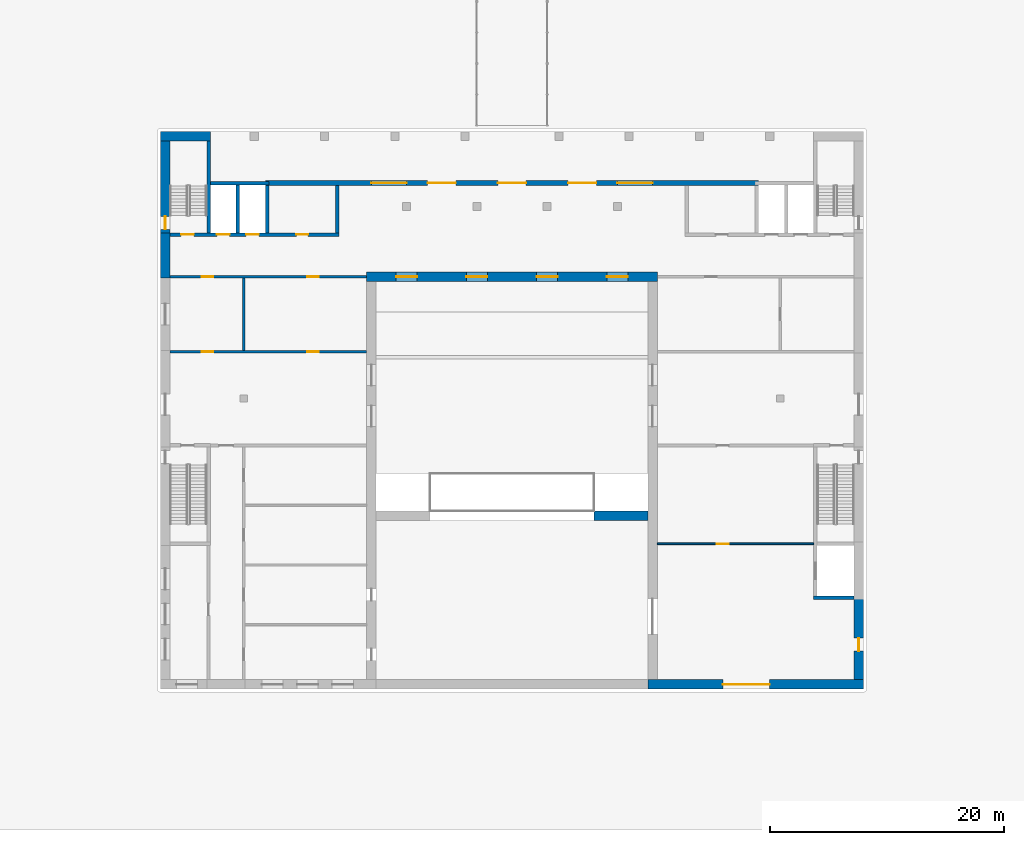
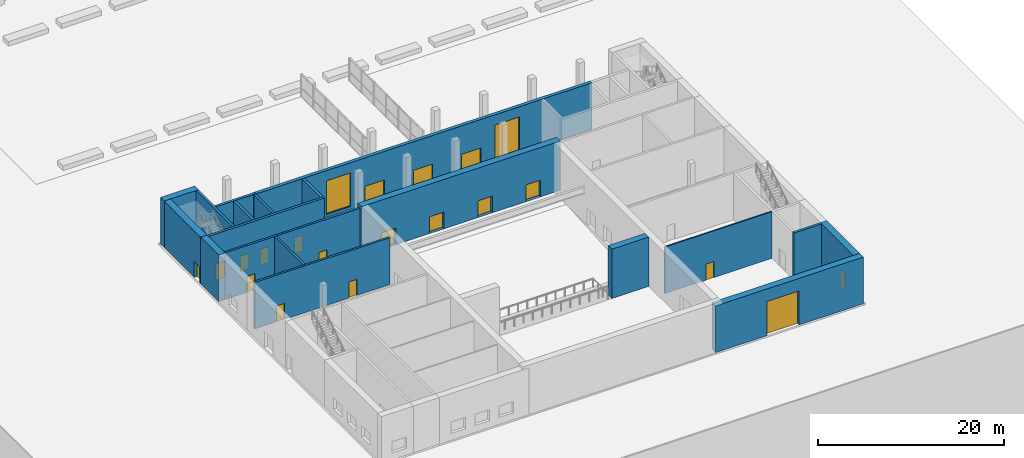
# One storey, part 30 of 51: 19 doors, 19 walls, 2 windows, 21 openings.
"""IFC4 building model written with IfcOpenShell, lengths in metres."""

from ifc_helpers import new_model, si_unit, direction, frame, frame_2d, origin, place, context, subcontext, project, spatial, rectangle, extrude, material, layer, layer_set, type_object, element, fill, save


model = new_model("IFC4")

# Units and contexts
model_context = context("Model", 3, precision=1e-05, world=origin(), true_north=direction((0.0, 1.0)))
body_context = subcontext(model_context, "Body", "Model", "MODEL_VIEW")
ifc_project = project(units=[si_unit("LENGTHUNIT", "METRE"), si_unit("AREAUNIT", "SQUARE_METRE"), si_unit("VOLUMEUNIT", "CUBIC_METRE"), si_unit("PLANEANGLEUNIT", "RADIAN"), si_unit("MASSUNIT", "GRAM", prefix="KILO")], contexts=[model_context])

# Site, building, storey
site_placement = place(None, origin())
site = spatial("IfcSite", under=ifc_project, at=site_placement, CompositionType="ELEMENT")
building_placement = place(site_placement, origin())
building = spatial("IfcBuilding", under=site, at=building_placement, Name="Kiln Ring Residences", CompositionType="ELEMENT")
storey_placement = place(building_placement, origin())
storey = spatial("IfcBuildingStorey", under=building, at=storey_placement, Name="L00", CompositionType="ELEMENT", Elevation=0.0)

# Wall
ifc_material_1 = material(Name="Concrete C40/50", Category="concrete")
ifc_layer_1 = layer(ifc_material_1, 0.800048828125)
ifc_layer_set_1 = layer_set([ifc_layer_1], Name="Hall Board-marked concrete C40/50 hall wall 800 internal")
wall_type_1 = type_object("IfcWallType", Name="Hall Board-marked concrete C40/50 hall wall 800 internal", PredefinedType="SOLIDWALL", material=ifc_layer_set_1)
wall_1_placement = place(storey_placement, frame((7.0, -145.199951171875, 0.0), z_axis=(0.0, 0.0, 1.0), x_axis=(1.0, 0.0, 0.0)))
element("IfcWall", 1, at=wall_1_placement, inside=storey, type_object=wall_type_1, Name="Hall proscenium pier L00 E", PredefinedType="SOLIDWALL", context=body_context, shape_type="SweptSolid", body=[
    extrude(rectangle(XDim=4.60009765625, YDim=0.800048828125, at=frame_2d((2.300048828125, 0.0))), origin(), (0.0, 0.0, 1.0), 6.5),
])

# Wall, openings, doors
wall_2_placement = place(storey_placement, frame((-12.39990234375, -124.800048828125, 0.0), z_axis=(0.0, 0.0, 1.0), x_axis=(1.0, 0.0, 0.0)))
wall_2 = element("IfcWall", 2, at=wall_2_placement, inside=storey, type_object=wall_type_1, Name="Hall wall L00 21", PredefinedType="SOLIDWALL", context=body_context, shape_type="SweptSolid", body=[
    extrude(rectangle(XDim=24.7998046875, YDim=0.800048828125, at=frame_2d((12.39990234375, 0.0))), origin(), (0.0, 0.0, 1.0), 6.5),
])
opening_1_placement = place(wall_2_placement, frame((2.5, 0.0, 0.0)))
opening_1 = element("IfcOpeningElement", 3, at=opening_1_placement, cuts=wall_2, Name="Opening L00-15", PredefinedType="OPENING", context=body_context, shape_type="SweptSolid", body=[
    extrude(rectangle(XDim=1.800048828125, YDim=2.199951171875, at=frame_2d((0.89990234375, 1.10009765625))), frame((0.0, 0.409912109375, 0.0), z_axis=(0.0, -1.0, 0.0), x_axis=(1.0, 0.0, 0.0)), (0.0, 0.0, 1.0), 0.820068359375),
])
opening_2_placement = place(wall_2_placement, frame((8.5, 0.0, 0.0)))
opening_2 = element("IfcOpeningElement", 4, at=opening_2_placement, cuts=wall_2, Name="Opening L00-16", PredefinedType="OPENING", context=body_context, shape_type="SweptSolid", body=[
    extrude(rectangle(XDim=1.800048828125, YDim=2.199951171875, at=frame_2d((0.89990234375, 1.10009765625))), frame((0.0, 0.409912109375, 0.0), z_axis=(0.0, -1.0, 0.0), x_axis=(1.0, 0.0, 0.0)), (0.0, 0.0, 1.0), 0.820068359375),
])
opening_3_placement = place(wall_2_placement, frame((14.5, 0.0, 0.0)))
opening_3 = element("IfcOpeningElement", 5, at=opening_3_placement, cuts=wall_2, Name="Opening L00-17", PredefinedType="OPENING", context=body_context, shape_type="SweptSolid", body=[
    extrude(rectangle(XDim=1.800048828125, YDim=2.199951171875, at=frame_2d((0.89990234375, 1.10009765625))), frame((0.0, 0.409912109375, 0.0), z_axis=(0.0, -1.0, 0.0), x_axis=(1.0, 0.0, 0.0)), (0.0, 0.0, 1.0), 0.820068359375),
])
opening_4_placement = place(wall_2_placement, frame((20.5, 0.0, 0.0)))
opening_4 = element("IfcOpeningElement", 6, at=opening_4_placement, cuts=wall_2, Name="Opening L00-18", PredefinedType="OPENING", context=body_context, shape_type="SweptSolid", body=[
    extrude(rectangle(XDim=1.800048828125, YDim=2.199951171875, at=frame_2d((0.89990234375, 1.10009765625))), frame((0.0, 0.409912109375, 0.0), z_axis=(0.0, -1.0, 0.0), x_axis=(1.0, 0.0, 0.0)), (0.0, 0.0, 1.0), 0.820068359375),
])
ifc_material_2 = material(Name="Steel door leaf", Category="steel")
door_type_1 = type_object("IfcDoorType", Name="Hall Auditorium double door 1800 x 2200", OperationType="DOUBLE_DOOR_SINGLE_SWING", PredefinedType="DOOR", material=ifc_material_2)
door_1_placement = place(opening_1_placement, origin())
door_1 = element("IfcDoor", 7, at=door_1_placement, inside=storey, type_object=door_type_1, Name="Hall door L00-15", OperationType="DOUBLE_DOOR_SINGLE_SWING", OverallHeight=2.199951171875, OverallWidth=1.800048828125, PredefinedType="DOOR", context=body_context, shape_type="SweptSolid", body=[
    extrude(rectangle(XDim=1.800048828125, YDim=2.199951171875, at=frame_2d((0.89990234375, 1.10009765625))), frame((0.0, 0.02490234375, 0.0), z_axis=(0.0, -1.0, 0.0), x_axis=(1.0, 0.0, 0.0)), (0.0, 0.0, 1.0), 0.050048828125),
])
fill(opening_1, door_1)
door_2_placement = place(opening_2_placement, origin())
door_2 = element("IfcDoor", 8, at=door_2_placement, inside=storey, type_object=door_type_1, Name="Hall door L00-16", OperationType="DOUBLE_DOOR_SINGLE_SWING", OverallHeight=2.199951171875, OverallWidth=1.800048828125, PredefinedType="DOOR", context=body_context, shape_type="SweptSolid", body=[
    extrude(rectangle(XDim=1.800048828125, YDim=2.199951171875, at=frame_2d((0.89990234375, 1.10009765625))), frame((0.0, 0.02490234375, 0.0), z_axis=(0.0, -1.0, 0.0), x_axis=(1.0, 0.0, 0.0)), (0.0, 0.0, 1.0), 0.050048828125),
])
fill(opening_2, door_2)
door_3_placement = place(opening_3_placement, origin())
door_3 = element("IfcDoor", 9, at=door_3_placement, inside=storey, type_object=door_type_1, Name="Hall door L00-17", OperationType="DOUBLE_DOOR_SINGLE_SWING", OverallHeight=2.199951171875, OverallWidth=1.800048828125, PredefinedType="DOOR", context=body_context, shape_type="SweptSolid", body=[
    extrude(rectangle(XDim=1.800048828125, YDim=2.199951171875, at=frame_2d((0.89990234375, 1.10009765625))), frame((0.0, 0.02490234375, 0.0), z_axis=(0.0, -1.0, 0.0), x_axis=(1.0, 0.0, 0.0)), (0.0, 0.0, 1.0), 0.050048828125),
])
fill(opening_3, door_3)
door_4_placement = place(opening_4_placement, origin())
door_4 = element("IfcDoor", 10, at=door_4_placement, inside=storey, type_object=door_type_1, Name="Hall door L00-18", OperationType="DOUBLE_DOOR_SINGLE_SWING", OverallHeight=2.199951171875, OverallWidth=1.800048828125, PredefinedType="DOOR", context=body_context, shape_type="SweptSolid", body=[
    extrude(rectangle(XDim=1.800048828125, YDim=2.199951171875, at=frame_2d((0.89990234375, 1.10009765625))), frame((0.0, 0.02490234375, 0.0), z_axis=(0.0, -1.0, 0.0), x_axis=(1.0, 0.0, 0.0)), (0.0, 0.0, 1.0), 0.050048828125),
])
fill(opening_4, door_4)

# Wall, openings, doors, windows
ifc_material_3 = material(Name="Concrete C40/50", Category="concrete")
ifc_layer_2 = layer(ifc_material_3, 0.39990234375)
ifc_layer_set_2 = layer_set([ifc_layer_2], Name="Hall Brick pier wall 400")
wall_type_2 = type_object("IfcWallType", Name="Hall Brick pier wall 400", PredefinedType="SOLIDWALL", material=ifc_layer_set_2)
wall_3_placement = place(storey_placement, frame((-21.050048828125, -116.800048828125, 0.0), z_axis=(0.0, 0.0, 1.0), x_axis=(1.0, 0.0, 0.0)))
wall_3 = element("IfcWall", 11, at=wall_3_placement, inside=storey, type_object=wall_type_2, Name="Hall wall L00 26", PredefinedType="SOLIDWALL", context=body_context, shape_type="SweptSolid", body=[
    extrude(rectangle(XDim=42.10009765625, YDim=0.39990234375, at=frame_2d((21.050048828125, 0.0))), origin(), (0.0, 0.0, 1.0), 6.14990234375),
])
opening_5_placement = place(wall_3_placement, frame((13.85009765625, 0.0, 0.0)))
opening_5 = element("IfcOpeningElement", 12, at=opening_5_placement, cuts=wall_3, Name="Opening L00-12", PredefinedType="OPENING", context=body_context, shape_type="SweptSolid", body=[
    extrude(rectangle(XDim=2.39990234375, YDim=2.39990234375, at=frame_2d((1.199951171875, 1.199951171875))), frame((0.0, 0.2099609375, 0.0), z_axis=(0.0, -1.0, 0.0), x_axis=(1.0, 0.0, 0.0)), (0.0, 0.0, 1.0), 0.419921875),
])
opening_6_placement = place(wall_3_placement, frame((19.85009765625, 0.0, 0.0)))
opening_6 = element("IfcOpeningElement", 13, at=opening_6_placement, cuts=wall_3, Name="Opening L00-13", PredefinedType="OPENING", context=body_context, shape_type="SweptSolid", body=[
    extrude(rectangle(XDim=2.39990234375, YDim=2.39990234375, at=frame_2d((1.199951171875, 1.199951171875))), frame((0.0, 0.2099609375, 0.0), z_axis=(0.0, -1.0, 0.0), x_axis=(1.0, 0.0, 0.0)), (0.0, 0.0, 1.0), 0.419921875),
])
opening_7_placement = place(wall_3_placement, frame((25.85009765625, 0.0, 0.0)))
opening_7 = element("IfcOpeningElement", 14, at=opening_7_placement, cuts=wall_3, Name="Opening L00-14", PredefinedType="OPENING", context=body_context, shape_type="SweptSolid", body=[
    extrude(rectangle(XDim=2.39990234375, YDim=2.39990234375, at=frame_2d((1.199951171875, 1.199951171875))), frame((0.0, 0.2099609375, 0.0), z_axis=(0.0, -1.0, 0.0), x_axis=(1.0, 0.0, 0.0)), (0.0, 0.0, 1.0), 0.419921875),
])
opening_8_placement = place(wall_3_placement, frame((9.050048828125, 0.0, 0.39990234375)))
opening_8 = element("IfcOpeningElement", 15, at=opening_8_placement, cuts=wall_3, Name="Opening WL00-01", PredefinedType="OPENING", context=body_context, shape_type="SweptSolid", body=[
    extrude(rectangle(XDim=3.0, YDim=4.39990234375, at=frame_2d((1.5, 2.199951171875))), frame((0.0, 0.2099609375, 0.0), z_axis=(0.0, -1.0, 0.0), x_axis=(1.0, 0.0, 0.0)), (0.0, 0.0, 1.0), 0.419921875),
])
opening_9_placement = place(wall_3_placement, frame((30.050048828125, 0.0, 0.39990234375)))
opening_9 = element("IfcOpeningElement", 16, at=opening_9_placement, cuts=wall_3, Name="Opening WL00-02", PredefinedType="OPENING", context=body_context, shape_type="SweptSolid", body=[
    extrude(rectangle(XDim=3.0, YDim=4.39990234375, at=frame_2d((1.5, 2.199951171875))), frame((0.0, 0.2099609375, 0.0), z_axis=(0.0, -1.0, 0.0), x_axis=(1.0, 0.0, 0.0)), (0.0, 0.0, 1.0), 0.419921875),
])
ifc_material_4 = material(Name="Aluminium framed glazed door", Category="aluminium")
door_type_2 = type_object("IfcDoorType", Name="Hall Entrance double door 2400 x 2400", OperationType="DOUBLE_DOOR_DOUBLE_SWING", PredefinedType="DOOR", material=ifc_material_4)
door_5_placement = place(opening_5_placement, origin())
door_5 = element("IfcDoor", 17, at=door_5_placement, inside=storey, type_object=door_type_2, Name="Hall door L00-12", OperationType="DOUBLE_DOOR_DOUBLE_SWING", OverallHeight=2.39990234375, OverallWidth=2.39990234375, PredefinedType="DOOR", context=body_context, shape_type="SweptSolid", body=[
    extrude(rectangle(XDim=2.39990234375, YDim=2.39990234375, at=frame_2d((1.199951171875, 1.199951171875))), frame((0.0, 0.02490234375, 0.0), z_axis=(0.0, -1.0, 0.0), x_axis=(1.0, 0.0, 0.0)), (0.0, 0.0, 1.0), 0.050048828125),
])
fill(opening_5, door_5)
door_6_placement = place(opening_6_placement, origin())
door_6 = element("IfcDoor", 18, at=door_6_placement, inside=storey, type_object=door_type_2, Name="Hall door L00-13", OperationType="DOUBLE_DOOR_DOUBLE_SWING", OverallHeight=2.39990234375, OverallWidth=2.39990234375, PredefinedType="DOOR", context=body_context, shape_type="SweptSolid", body=[
    extrude(rectangle(XDim=2.39990234375, YDim=2.39990234375, at=frame_2d((1.199951171875, 1.199951171875))), frame((0.0, 0.02490234375, 0.0), z_axis=(0.0, -1.0, 0.0), x_axis=(1.0, 0.0, 0.0)), (0.0, 0.0, 1.0), 0.050048828125),
])
fill(opening_6, door_6)
door_7_placement = place(opening_7_placement, origin())
door_7 = element("IfcDoor", 19, at=door_7_placement, inside=storey, type_object=door_type_2, Name="Hall door L00-14", OperationType="DOUBLE_DOOR_DOUBLE_SWING", OverallHeight=2.39990234375, OverallWidth=2.39990234375, PredefinedType="DOOR", context=body_context, shape_type="SweptSolid", body=[
    extrude(rectangle(XDim=2.39990234375, YDim=2.39990234375, at=frame_2d((1.199951171875, 1.199951171875))), frame((0.0, 0.02490234375, 0.0), z_axis=(0.0, -1.0, 0.0), x_axis=(1.0, 0.0, 0.0)), (0.0, 0.0, 1.0), 0.050048828125),
])
fill(opening_7, door_7)
ifc_material_5 = material(Name="Glazing in aluminium frame", Category="aluminium")
window_type = type_object("IfcWindowType", Name="Hall ground foyer window 3000 x 4400", PartitioningType="SINGLE_PANEL", PredefinedType="WINDOW", material=ifc_material_5)
window_1_placement = place(opening_8_placement, origin())
window_1 = element("IfcWindow", 20, at=window_1_placement, inside=storey, type_object=window_type, Name="Hall window L00-01", OverallHeight=4.39990234375, OverallWidth=3.0, PartitioningType="SINGLE_PANEL", PredefinedType="WINDOW", context=body_context, shape_type="SweptSolid", body=[
    extrude(rectangle(XDim=3.0, YDim=4.39990234375, at=frame_2d((1.5, 2.199951171875))), frame((0.0, 0.030029296875, 0.0), z_axis=(0.0, -1.0, 0.0), x_axis=(1.0, 0.0, 0.0)), (0.0, 0.0, 1.0), 0.06005859375),
])
fill(opening_8, window_1)
window_2_placement = place(opening_9_placement, origin())
window_2 = element("IfcWindow", 21, at=window_2_placement, inside=storey, type_object=window_type, Name="Hall window L00-02", OverallHeight=4.39990234375, OverallWidth=3.0, PartitioningType="SINGLE_PANEL", PredefinedType="WINDOW", context=body_context, shape_type="SweptSolid", body=[
    extrude(rectangle(XDim=3.0, YDim=4.39990234375, at=frame_2d((1.5, 2.199951171875))), frame((0.0, 0.030029296875, 0.0), z_axis=(0.0, -1.0, 0.0), x_axis=(1.0, 0.0, 0.0)), (0.0, 0.0, 1.0), 0.06005859375),
])
fill(opening_9, window_2)

# Wall, opening, door
ifc_material_6 = material(Name="Concrete C40/50", Category="concrete")
ifc_layer_3 = layer(ifc_material_6, 0.800048828125)
ifc_layer_set_3 = layer_set([ifc_layer_3], Name="Hall Exposed brick-faced reinforced concrete C40/50 wall 800")
wall_type_3 = type_object("IfcWallType", Name="Hall Exposed brick-faced reinforced concrete C40/50 wall 800", PredefinedType="SOLIDWALL", material=ifc_layer_set_3)
wall_4_placement = place(storey_placement, frame((11.60009765625, -159.60009765625, 0.0), z_axis=(0.0, 0.0, 1.0), x_axis=(1.0, 0.0, 0.0)))
wall_4 = element("IfcWall", 22, at=wall_4_placement, inside=storey, type_object=wall_type_3, Name="Hall wall L00 5", PredefinedType="SOLIDWALL", context=body_context, shape_type="SweptSolid", body=[
    extrude(rectangle(XDim=18.39990234375, YDim=0.800048828125, at=frame_2d((9.199951171875, 0.0))), origin(), (0.0, 0.0, 1.0), 6.14990234375),
])
opening_10_placement = place(wall_4_placement, frame((6.39990234375, 0.0, 0.0)))
opening_10 = element("IfcOpeningElement", 23, at=opening_10_placement, cuts=wall_4, Name="Opening L00-45", PredefinedType="OPENING", context=body_context, shape_type="SweptSolid", body=[
    extrude(rectangle(XDim=4.0, YDim=4.5, at=frame_2d((2.0, 2.25))), frame((0.0, 0.409912109375, 0.0), z_axis=(0.0, -1.0, 0.0), x_axis=(1.0, 0.0, 0.0)), (0.0, 0.0, 1.0), 0.820068359375),
])
ifc_material_7 = material(Name="Steel door leaf", Category="steel")
door_type_3 = type_object("IfcDoorType", Name="Hall Roller shutter vehicle gate 4000 x 4500", OperationType="ROLLINGUP", PredefinedType="DOOR", material=ifc_material_7)
door_8_placement = place(opening_10_placement, origin())
door_8 = element("IfcDoor", 24, at=door_8_placement, inside=storey, type_object=door_type_3, Name="Hall door L00-45", OperationType="ROLLINGUP", OverallHeight=4.5, OverallWidth=4.0, PredefinedType="DOOR", context=body_context, shape_type="SweptSolid", body=[
    extrude(rectangle(XDim=4.0, YDim=4.5, at=frame_2d((2.0, 2.25))), frame((0.0, 0.02490234375, 0.0), z_axis=(0.0, -1.0, 0.0), x_axis=(1.0, 0.0, 0.0)), (0.0, 0.0, 1.0), 0.050048828125),
])
fill(opening_10, door_8)

# Walls
wall_5_placement = place(storey_placement, frame((-30.0, -112.800048828125, 0.0), z_axis=(0.0, 0.0, 1.0), x_axis=(1.0, 0.0, 0.0)))
element("IfcWall", 25, at=wall_5_placement, inside=storey, type_object=wall_type_3, Name="Hall wall L00 28", PredefinedType="SOLIDWALL", context=body_context, shape_type="SweptSolid", body=[
    extrude(rectangle(XDim=4.25, YDim=0.800048828125, at=frame_2d((2.125, 0.0))), origin(), (0.0, 0.0, 1.0), 6.14990234375),
])
wall_6_placement = place(storey_placement, frame((-29.60009765625, -124.9248046875, 0.0), z_axis=(0.0, 0.0, 1.0), x_axis=(0.0, 1.0, 0.0)))
element("IfcWall", 26, at=wall_6_placement, inside=storey, type_object=wall_type_3, Name="Hall wall L00 34", PredefinedType="SOLIDWALL", context=body_context, shape_type="SweptSolid", body=[
    extrude(rectangle(XDim=3.874755859375, YDim=0.800048828125, at=frame_2d((1.9375, 0.0))), origin(), (0.0, 0.0, 1.0), 6.14990234375),
])

# Wall, opening, door
wall_7_placement = place(storey_placement, frame((-29.60009765625, -121.349853515625, 0.0), z_axis=(0.0, 0.0, 1.0), x_axis=(0.0, 1.0, 0.0)))
wall_7 = element("IfcWall", 27, at=wall_7_placement, inside=storey, type_object=wall_type_3, Name="Hall wall L00 35", PredefinedType="SOLIDWALL", context=body_context, shape_type="SweptSolid", body=[
    extrude(rectangle(XDim=8.14990234375, YDim=0.800048828125, at=frame_2d((4.074951171875, 0.0))), origin(), (0.0, 0.0, 1.0), 6.14990234375),
])
opening_11_placement = place(wall_7_placement, frame((0.60009765625, 0.0, 0.0)))
opening_11 = element("IfcOpeningElement", 28, at=opening_11_placement, cuts=wall_7, Name="Opening L00-19", PredefinedType="OPENING", context=body_context, shape_type="SweptSolid", body=[
    extrude(rectangle(XDim=1.10009765625, YDim=2.10009765625, at=frame_2d((0.550048828125, 1.050048828125))), frame((0.0, 0.409912109375, 0.0), z_axis=(0.0, -1.0, 0.0), x_axis=(1.0, 0.0, 0.0)), (0.0, 0.0, 1.0), 0.820068359375),
])
ifc_material_8 = material(Name="Aluminium framed glazed door", Category="aluminium")
door_type_4 = type_object("IfcDoorType", Name="Hall Exit door 1100 x 2100", OperationType="SINGLE_SWING_LEFT", PredefinedType="DOOR", material=ifc_material_8)
door_9_placement = place(opening_11_placement, origin())
door_9 = element("IfcDoor", 29, at=door_9_placement, inside=storey, type_object=door_type_4, Name="Hall door L00-19", OperationType="SINGLE_SWING_LEFT", OverallHeight=2.10009765625, OverallWidth=1.10009765625, PredefinedType="DOOR", context=body_context, shape_type="SweptSolid", body=[
    extrude(rectangle(XDim=1.10009765625, YDim=2.10009765625, at=frame_2d((0.550048828125, 1.050048828125))), frame((0.0, 0.02490234375, 0.0), z_axis=(0.0, -1.0, 0.0), x_axis=(1.0, 0.0, 0.0)), (0.0, 0.0, 1.0), 0.050048828125),
])
fill(opening_11, door_9)

wall_8_placement = place(storey_placement, frame((29.60009765625, -152.050048828125, 0.0), z_axis=(0.0, 0.0, 1.0), x_axis=(0.0, -1.0, 0.0)))
wall_8 = element("IfcWall", 30, at=wall_8_placement, inside=storey, type_object=wall_type_3, Name="Hall wall L00 52", PredefinedType="SOLIDWALL", context=body_context, shape_type="SweptSolid", body=[
    extrude(rectangle(XDim=7.14990234375, YDim=0.800048828125, at=frame_2d((3.574951171875, 0.0))), origin(), (0.0, 0.0, 1.0), 6.14990234375),
])
opening_12_placement = place(wall_8_placement, frame((3.599853515625, 0.0, 0.0)))
opening_12 = element("IfcOpeningElement", 31, at=opening_12_placement, cuts=wall_8, Name="Opening L00-46", PredefinedType="OPENING", context=body_context, shape_type="SweptSolid", body=[
    extrude(rectangle(XDim=1.10009765625, YDim=2.10009765625, at=frame_2d((0.550048828125, 1.050048828125))), frame((0.0, 0.409912109375, 0.0), z_axis=(0.0, -1.0, 0.0), x_axis=(1.0, 0.0, 0.0)), (0.0, 0.0, 1.0), 0.820068359375),
])
door_10_placement = place(opening_12_placement, origin())
door_10 = element("IfcDoor", 32, at=door_10_placement, inside=storey, type_object=door_type_4, Name="Hall door L00-46", OperationType="SINGLE_SWING_RIGHT", OverallHeight=2.10009765625, OverallWidth=1.10009765625, PredefinedType="DOOR", context=body_context, shape_type="SweptSolid", body=[
    extrude(rectangle(XDim=1.10009765625, YDim=2.10009765625, at=frame_2d((0.550048828125, 1.050048828125))), frame((0.0, 0.02490234375, 0.0), z_axis=(0.0, -1.0, 0.0), x_axis=(1.0, 0.0, 0.0)), (0.0, 0.0, 1.0), 0.050048828125),
])
fill(opening_12, door_10)

# Wall
ifc_material_9 = material(Name="Concrete C40/50", Category="concrete")
ifc_layer_4 = layer(ifc_material_9, 0.300048828125)
ifc_layer_set_4 = layer_set([ifc_layer_4], Name="Hall Reinforced concrete C40/50 core wall 300")
wall_type_4 = type_object("IfcWallType", Name="Hall Reinforced concrete C40/50 core wall 300", PredefinedType="SOLIDWALL", material=ifc_layer_set_4)
wall_9_placement = place(storey_placement, frame((25.75, -152.199951171875, 0.0), z_axis=(0.0, 0.0, 1.0), x_axis=(1.0, 0.0, 0.0)))
element("IfcWall", 33, at=wall_9_placement, inside=storey, type_object=wall_type_4, Name="Hall wall L00 7", PredefinedType="SOLIDWALL", context=body_context, shape_type="SweptSolid", body=[
    extrude(rectangle(XDim=3.449951171875, YDim=0.300048828125, at=frame_2d((1.72509765625, 0.0))), origin(), (0.0, 0.0, 1.0), 6.14990234375),
])

# Wall, openings, doors
wall_10_placement = place(storey_placement, frame((-29.199951171875, -121.199951171875, 0.0), z_axis=(0.0, 0.0, 1.0), x_axis=(1.0, 0.0, 0.0)))
wall_10 = element("IfcWall", 34, at=wall_10_placement, inside=storey, type_object=wall_type_4, Name="Hall wall L00 23", PredefinedType="SOLIDWALL", context=body_context, shape_type="SweptSolid", body=[
    extrude(rectangle(XDim=14.449951171875, YDim=0.300048828125, at=frame_2d((7.22509765625, 0.0))), origin(), (0.0, 0.0, 1.0), 6.14990234375),
])
opening_13_placement = place(wall_10_placement, frame((4.0, 0.0, 0.0)))
opening_13 = element("IfcOpeningElement", 35, at=opening_13_placement, cuts=wall_10, Name="Opening L00-01", PredefinedType="OPENING", context=body_context, shape_type="SweptSolid", body=[
    extrude(rectangle(XDim=1.10009765625, YDim=2.10009765625, at=frame_2d((0.550048828125, 1.050048828125))), frame((0.0, 0.159912109375, 0.0), z_axis=(0.0, -1.0, 0.0), x_axis=(1.0, 0.0, 0.0)), (0.0, 0.0, 1.0), 0.320068359375),
])
opening_14_placement = place(wall_10_placement, frame((6.5, 0.0, 0.0)))
opening_14 = element("IfcOpeningElement", 36, at=opening_14_placement, cuts=wall_10, Name="Opening L00-02", PredefinedType="OPENING", context=body_context, shape_type="SweptSolid", body=[
    extrude(rectangle(XDim=1.10009765625, YDim=2.10009765625, at=frame_2d((0.550048828125, 1.050048828125))), frame((0.0, 0.159912109375, 0.0), z_axis=(0.0, -1.0, 0.0), x_axis=(1.0, 0.0, 0.0)), (0.0, 0.0, 1.0), 0.320068359375),
])
opening_15_placement = place(wall_10_placement, frame((0.949951171875, 0.0, 0.0)))
opening_15 = element("IfcOpeningElement", 37, at=opening_15_placement, cuts=wall_10, Name="Opening L00-06", PredefinedType="OPENING", context=body_context, shape_type="SweptSolid", body=[
    extrude(rectangle(XDim=1.10009765625, YDim=2.10009765625, at=frame_2d((0.550048828125, 1.050048828125))), frame((0.0, 0.159912109375, 0.0), z_axis=(0.0, -1.0, 0.0), x_axis=(1.0, 0.0, 0.0)), (0.0, 0.0, 1.0), 0.320068359375),
])
opening_16_placement = place(wall_10_placement, frame((10.800048828125, 0.0, 0.0)))
opening_16 = element("IfcOpeningElement", 38, at=opening_16_placement, cuts=wall_10, Name="Opening L00-10", PredefinedType="OPENING", context=body_context, shape_type="SweptSolid", body=[
    extrude(rectangle(XDim=1.0, YDim=2.10009765625, at=frame_2d((0.5, 1.050048828125))), frame((0.0, 0.159912109375, 0.0), z_axis=(0.0, -1.0, 0.0), x_axis=(1.0, 0.0, 0.0)), (0.0, 0.0, 1.0), 0.320068359375),
])
ifc_material_10 = material(Name="Steel door leaf", Category="steel")
door_type_5 = type_object("IfcDoorType", Name="Hall Lift landing door 1100 x 2100", OperationType="DOUBLE_DOOR_SLIDING", PredefinedType="DOOR", material=ifc_material_10)
door_11_placement = place(opening_13_placement, origin())
door_11 = element("IfcDoor", 39, at=door_11_placement, inside=storey, type_object=door_type_5, Name="Hall door L00-01", OperationType="DOUBLE_DOOR_SLIDING", OverallHeight=2.10009765625, OverallWidth=1.10009765625, PredefinedType="DOOR", context=body_context, shape_type="SweptSolid", body=[
    extrude(rectangle(XDim=1.10009765625, YDim=2.10009765625, at=frame_2d((0.550048828125, 1.050048828125))), frame((0.0, 0.02490234375, 0.0), z_axis=(0.0, -1.0, 0.0), x_axis=(1.0, 0.0, 0.0)), (0.0, 0.0, 1.0), 0.050048828125),
])
fill(opening_13, door_11)
door_12_placement = place(opening_14_placement, origin())
door_12 = element("IfcDoor", 40, at=door_12_placement, inside=storey, type_object=door_type_5, Name="Hall door L00-02", OperationType="DOUBLE_DOOR_SLIDING", OverallHeight=2.10009765625, OverallWidth=1.10009765625, PredefinedType="DOOR", context=body_context, shape_type="SweptSolid", body=[
    extrude(rectangle(XDim=1.10009765625, YDim=2.10009765625, at=frame_2d((0.550048828125, 1.050048828125))), frame((0.0, 0.02490234375, 0.0), z_axis=(0.0, -1.0, 0.0), x_axis=(1.0, 0.0, 0.0)), (0.0, 0.0, 1.0), 0.050048828125),
])
fill(opening_14, door_12)
ifc_material_11 = material(Name="Steel door leaf", Category="steel")
door_type_6 = type_object("IfcDoorType", Name="Hall Single door 1000 x 2100", OperationType="SINGLE_SWING_LEFT", PredefinedType="DOOR", material=ifc_material_11)
door_13_placement = place(opening_16_placement, origin())
door_13 = element("IfcDoor", 41, at=door_13_placement, inside=storey, type_object=door_type_6, Name="Hall door L00-10", OperationType="SINGLE_SWING_RIGHT", OverallHeight=2.10009765625, OverallWidth=1.0, PredefinedType="DOOR", context=body_context, shape_type="SweptSolid", body=[
    extrude(rectangle(XDim=1.0, YDim=2.10009765625, at=frame_2d((0.5, 1.050048828125))), frame((0.0, 0.02490234375, 0.0), z_axis=(0.0, -1.0, 0.0), x_axis=(1.0, 0.0, 0.0)), (0.0, 0.0, 1.0), 0.050048828125),
])
fill(opening_16, door_13)
ifc_material_12 = material(Name="Steel door leaf", Category="steel")
door_type_7 = type_object("IfcDoorType", Name="Hall Stair door 1100 x 2100", OperationType="SINGLE_SWING_LEFT", PredefinedType="DOOR", material=ifc_material_12)
door_14_placement = place(opening_15_placement, origin())
door_14 = element("IfcDoor", 42, at=door_14_placement, inside=storey, type_object=door_type_7, Name="Hall door L00-06", OperationType="SINGLE_SWING_RIGHT", OverallHeight=2.10009765625, OverallWidth=1.10009765625, PredefinedType="DOOR", context=body_context, shape_type="SweptSolid", body=[
    extrude(rectangle(XDim=1.10009765625, YDim=2.10009765625, at=frame_2d((0.550048828125, 1.050048828125))), frame((0.0, 0.02490234375, 0.0), z_axis=(0.0, -1.0, 0.0), x_axis=(1.0, 0.0, 0.0)), (0.0, 0.0, 1.0), 0.050048828125),
])
fill(opening_15, door_14)

# Walls
wall_11_placement = place(storey_placement, frame((-25.75, -116.800048828125, 0.0), z_axis=(0.0, 0.0, 1.0), x_axis=(1.0, 0.0, 0.0)))
element("IfcWall", 43, at=wall_11_placement, inside=storey, type_object=wall_type_4, Name="Hall wall L00 25", PredefinedType="SOLIDWALL", context=body_context, shape_type="SweptSolid", body=[
    extrude(rectangle(XDim=5.0, YDim=0.300048828125, at=frame_2d((2.5, 0.0))), origin(), (0.0, 0.0, 1.0), 6.14990234375),
])
wall_12_placement = place(storey_placement, frame((-25.89990234375, -121.050048828125, 0.0), z_axis=(0.0, 0.0, 1.0), x_axis=(0.0, 1.0, 0.0)))
element("IfcWall", 44, at=wall_12_placement, inside=storey, type_object=wall_type_4, Name="Hall wall L00 38", PredefinedType="SOLIDWALL", context=body_context, shape_type="SweptSolid", body=[
    extrude(rectangle(XDim=7.85009765625, YDim=0.300048828125, at=frame_2d((3.925048828125, 0.0))), origin(), (0.0, 0.0, 1.0), 6.14990234375),
])
wall_13_placement = place(storey_placement, frame((-23.39990234375, -121.050048828125, 0.0), z_axis=(0.0, 0.0, 1.0), x_axis=(0.0, 1.0, 0.0)))
element("IfcWall", 45, at=wall_13_placement, inside=storey, type_object=wall_type_4, Name="Hall wall L00 39", PredefinedType="SOLIDWALL", context=body_context, shape_type="SweptSolid", body=[
    extrude(rectangle(XDim=4.10009765625, YDim=0.300048828125, at=frame_2d((2.050048828125, 0.0))), origin(), (0.0, 0.0, 1.0), 6.14990234375),
])
for number, where, z_axis, x_axis, name in (
    (46, (-20.89990234375, -121.050048828125, 0.0), (0.0, 0.0, 1.0), (0.0, 1.0, 0.0), "Hall wall L00 42"),
    (47, (-14.89990234375, -121.050048828125, 0.0), (0.0, 0.0, 1.0), (0.0, 1.0, 0.0), "Hall wall L00 43"),
):
    element("IfcWall", number, at=place(storey_placement, frame(where, z_axis=z_axis, x_axis=x_axis)), inside=storey, type_object=wall_type_4, Name=name, PredefinedType="SOLIDWALL", context=body_context, shape_type="SweptSolid", body=[
        extrude(rectangle(XDim=4.050048828125, YDim=0.300048828125, at=frame_2d((2.02490234375, 0.0))), origin(), (0.0, 0.0, 1.0), 6.14990234375),
    ])

# Wall, openings, doors
ifc_material_13 = material(Name="Concrete C40/50", Category="concrete")
ifc_layer_5 = layer(ifc_material_13, 0.25)
ifc_layer_set_5 = layer_set([ifc_layer_5], Name="Hall Reinforced concrete C40/50 wall 250")
wall_type_5 = type_object("IfcWallType", Name="Hall Reinforced concrete C40/50 wall 250", PredefinedType="SOLIDWALL", material=ifc_layer_set_5)
wall_14_placement = place(storey_placement, frame((-29.199951171875, -131.199951171875, 0.0), z_axis=(0.0, 0.0, 1.0), x_axis=(1.0, 0.0, 0.0)))
wall_14 = element("IfcWall", 48, at=wall_14_placement, inside=storey, type_object=wall_type_5, Name="Hall wall L00 18", PredefinedType="SOLIDWALL", context=body_context, shape_type="SweptSolid", body=[
    extrude(rectangle(XDim=16.800048828125, YDim=0.25, at=frame_2d((8.39990234375, 0.0))), origin(), (0.0, 0.0, 1.0), 6.14990234375),
])
opening_17_placement = place(wall_14_placement, frame((2.699951171875, 0.0, 0.0)))
opening_17 = element("IfcOpeningElement", 49, at=opening_17_placement, cuts=wall_14, Name="Opening L00-27", PredefinedType="OPENING", context=body_context, shape_type="SweptSolid", body=[
    extrude(rectangle(XDim=1.0, YDim=2.10009765625, at=frame_2d((0.5, 1.050048828125))), frame((0.0, 0.135009765625, 0.0), z_axis=(0.0, -1.0, 0.0), x_axis=(1.0, 0.0, 0.0)), (0.0, 0.0, 1.0), 0.27001953125),
])
opening_18_placement = place(wall_14_placement, frame((11.699951171875, 0.0, 0.0)))
opening_18 = element("IfcOpeningElement", 50, at=opening_18_placement, cuts=wall_14, Name="Opening L00-28", PredefinedType="OPENING", context=body_context, shape_type="SweptSolid", body=[
    extrude(rectangle(XDim=1.0, YDim=2.10009765625, at=frame_2d((0.5, 1.050048828125))), frame((0.0, 0.135009765625, 0.0), z_axis=(0.0, -1.0, 0.0), x_axis=(1.0, 0.0, 0.0)), (0.0, 0.0, 1.0), 0.27001953125),
])
door_15_placement = place(opening_17_placement, origin())
door_15 = element("IfcDoor", 51, at=door_15_placement, inside=storey, type_object=door_type_6, Name="Hall door L00-27", OperationType="SINGLE_SWING_LEFT", OverallHeight=2.10009765625, OverallWidth=1.0, PredefinedType="DOOR", context=body_context, shape_type="SweptSolid", body=[
    extrude(rectangle(XDim=1.0, YDim=2.10009765625, at=frame_2d((0.5, 1.050048828125))), frame((0.0, 0.02490234375, 0.0), z_axis=(0.0, -1.0, 0.0), x_axis=(1.0, 0.0, 0.0)), (0.0, 0.0, 1.0), 0.050048828125),
])
fill(opening_17, door_15)
door_16_placement = place(opening_18_placement, origin())
door_16 = element("IfcDoor", 52, at=door_16_placement, inside=storey, type_object=door_type_6, Name="Hall door L00-28", OperationType="SINGLE_SWING_RIGHT", OverallHeight=2.10009765625, OverallWidth=1.0, PredefinedType="DOOR", context=body_context, shape_type="SweptSolid", body=[
    extrude(rectangle(XDim=1.0, YDim=2.10009765625, at=frame_2d((0.5, 1.050048828125))), frame((0.0, 0.02490234375, 0.0), z_axis=(0.0, -1.0, 0.0), x_axis=(1.0, 0.0, 0.0)), (0.0, 0.0, 1.0), 0.050048828125),
])
fill(opening_18, door_16)

wall_15_placement = place(storey_placement, frame((-29.199951171875, -124.800048828125, 0.0), z_axis=(0.0, 0.0, 1.0), x_axis=(1.0, 0.0, 0.0)))
wall_15 = element("IfcWall", 53, at=wall_15_placement, inside=storey, type_object=wall_type_5, Name="Hall wall L00 20", PredefinedType="SOLIDWALL", context=body_context, shape_type="SweptSolid", body=[
    extrude(rectangle(XDim=16.800048828125, YDim=0.25, at=frame_2d((8.39990234375, 0.0))), origin(), (0.0, 0.0, 1.0), 6.14990234375),
])
opening_19_placement = place(wall_15_placement, frame((2.699951171875, 0.0, 0.0)))
opening_19 = element("IfcOpeningElement", 54, at=opening_19_placement, cuts=wall_15, Name="Opening L00-23", PredefinedType="OPENING", context=body_context, shape_type="SweptSolid", body=[
    extrude(rectangle(XDim=1.0, YDim=2.10009765625, at=frame_2d((0.5, 1.050048828125))), frame((0.0, 0.135009765625, 0.0), z_axis=(0.0, -1.0, 0.0), x_axis=(1.0, 0.0, 0.0)), (0.0, 0.0, 1.0), 0.27001953125),
])
opening_20_placement = place(wall_15_placement, frame((11.699951171875, 0.0, 0.0)))
opening_20 = element("IfcOpeningElement", 55, at=opening_20_placement, cuts=wall_15, Name="Opening L00-24", PredefinedType="OPENING", context=body_context, shape_type="SweptSolid", body=[
    extrude(rectangle(XDim=1.0, YDim=2.10009765625, at=frame_2d((0.5, 1.050048828125))), frame((0.0, 0.135009765625, 0.0), z_axis=(0.0, -1.0, 0.0), x_axis=(1.0, 0.0, 0.0)), (0.0, 0.0, 1.0), 0.27001953125),
])
door_17_placement = place(opening_19_placement, origin())
door_17 = element("IfcDoor", 56, at=door_17_placement, inside=storey, type_object=door_type_6, Name="Hall door L00-23", OperationType="SINGLE_SWING_LEFT", OverallHeight=2.10009765625, OverallWidth=1.0, PredefinedType="DOOR", context=body_context, shape_type="SweptSolid", body=[
    extrude(rectangle(XDim=1.0, YDim=2.10009765625, at=frame_2d((0.5, 1.050048828125))), frame((0.0, 0.02490234375, 0.0), z_axis=(0.0, -1.0, 0.0), x_axis=(1.0, 0.0, 0.0)), (0.0, 0.0, 1.0), 0.050048828125),
])
fill(opening_19, door_17)
door_18_placement = place(opening_20_placement, origin())
door_18 = element("IfcDoor", 57, at=door_18_placement, inside=storey, type_object=door_type_6, Name="Hall door L00-24", OperationType="SINGLE_SWING_RIGHT", OverallHeight=2.10009765625, OverallWidth=1.0, PredefinedType="DOOR", context=body_context, shape_type="SweptSolid", body=[
    extrude(rectangle(XDim=1.0, YDim=2.10009765625, at=frame_2d((0.5, 1.050048828125))), frame((0.0, 0.02490234375, 0.0), z_axis=(0.0, -1.0, 0.0), x_axis=(1.0, 0.0, 0.0)), (0.0, 0.0, 1.0), 0.050048828125),
])
fill(opening_20, door_18)

# Wall
wall_16_placement = place(storey_placement, frame((-22.89990234375, -131.074951171875, 0.0), z_axis=(0.0, 0.0, 1.0), x_axis=(0.0, 1.0, 0.0)))
element("IfcWall", 58, at=wall_16_placement, inside=storey, type_object=wall_type_5, Name="Hall wall L00 41", PredefinedType="SOLIDWALL", context=body_context, shape_type="SweptSolid", body=[
    extrude(rectangle(XDim=6.14990234375, YDim=0.25, at=frame_2d((3.074951171875, 0.0))), origin(), (0.0, 0.0, 1.0), 6.14990234375),
])

# Wall, opening, door
ifc_material_14 = material(Name="Masonry blockwork f'm 10 MPa", Category="masonry")
ifc_layer_6 = layer(ifc_material_14, 0.14990234375)
ifc_layer_set_6 = layer_set([ifc_layer_6], Name="Hall blockwork partition 150")
wall_type_6 = type_object("IfcWallType", Name="Hall blockwork partition 150", PredefinedType="PARTITIONING", material=ifc_layer_set_6)
wall_17_placement = place(storey_placement, frame((12.39990234375, -147.60009765625, 0.0), z_axis=(0.0, 0.0, 1.0), x_axis=(1.0, 0.0, 0.0)))
wall_17 = element("IfcWall", 59, at=wall_17_placement, inside=storey, type_object=wall_type_6, Name="Hall wall L00 10", PredefinedType="PARTITIONING", context=body_context, shape_type="SweptSolid", body=[
    extrude(rectangle(XDim=13.35009765625, YDim=0.14990234375, at=frame_2d((6.675048828125, 0.0))), origin(), (0.0, 0.0, 1.0), 6.14990234375),
])
opening_21_placement = place(wall_17_placement, frame((5.10009765625, 0.0, 0.0)))
opening_21 = element("IfcOpeningElement", 60, at=opening_21_placement, cuts=wall_17, Name="Opening L00-44", PredefinedType="OPENING", context=body_context, shape_type="SweptSolid", body=[
    extrude(rectangle(XDim=1.0, YDim=2.10009765625, at=frame_2d((0.5, 1.050048828125))), frame((0.0, 0.0849609375, 0.0), z_axis=(0.0, -1.0, 0.0), x_axis=(1.0, 0.0, 0.0)), (0.0, 0.0, 1.0), 0.169921875),
])
door_19_placement = place(opening_21_placement, origin())
door_19 = element("IfcDoor", 61, at=door_19_placement, inside=storey, type_object=door_type_6, Name="Hall door L00-44", OperationType="SINGLE_SWING_RIGHT", OverallHeight=2.10009765625, OverallWidth=1.0, PredefinedType="DOOR", context=body_context, shape_type="SweptSolid", body=[
    extrude(rectangle(XDim=1.0, YDim=2.10009765625, at=frame_2d((0.5, 1.050048828125))), frame((0.0, 0.02490234375, 0.0), z_axis=(0.0, -1.0, 0.0), x_axis=(1.0, 0.0, 0.0)), (0.0, 0.0, 1.0), 0.050048828125),
])
fill(opening_21, door_19)

save(model, "model.ifc")
